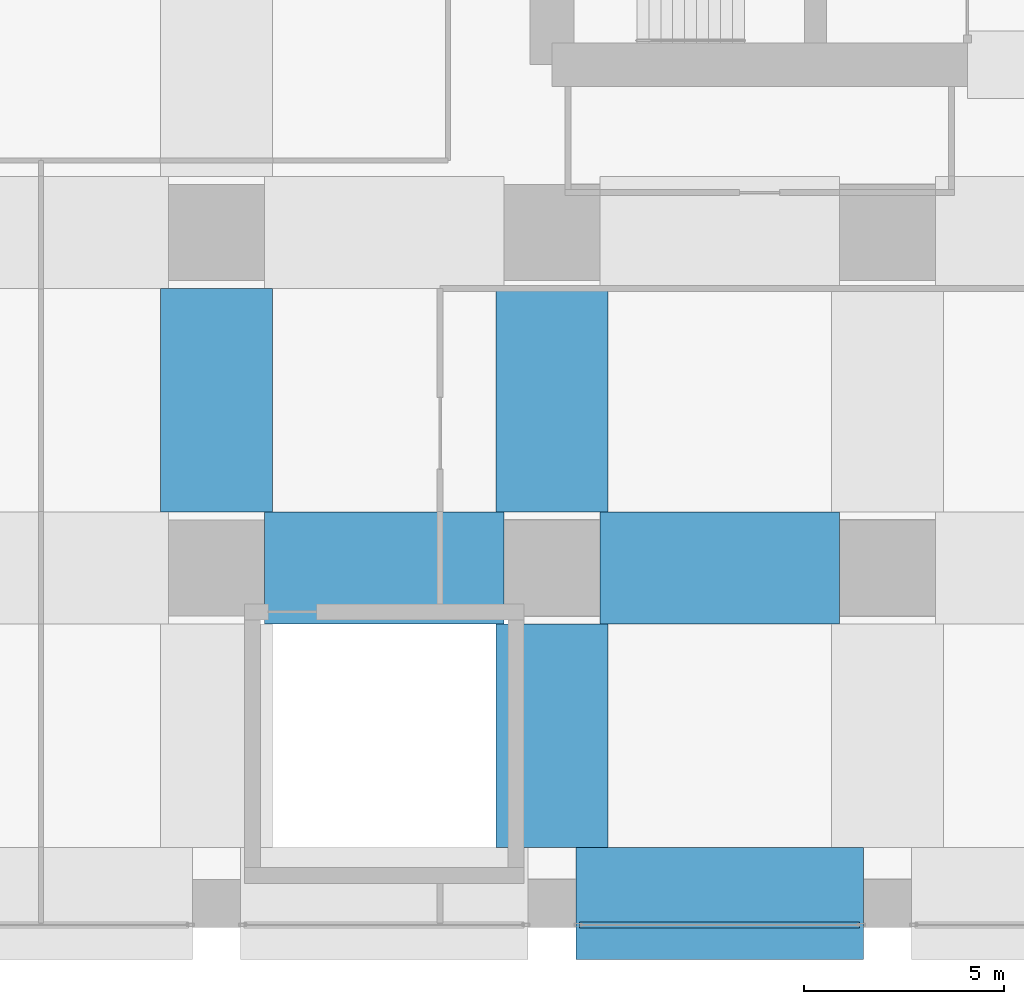
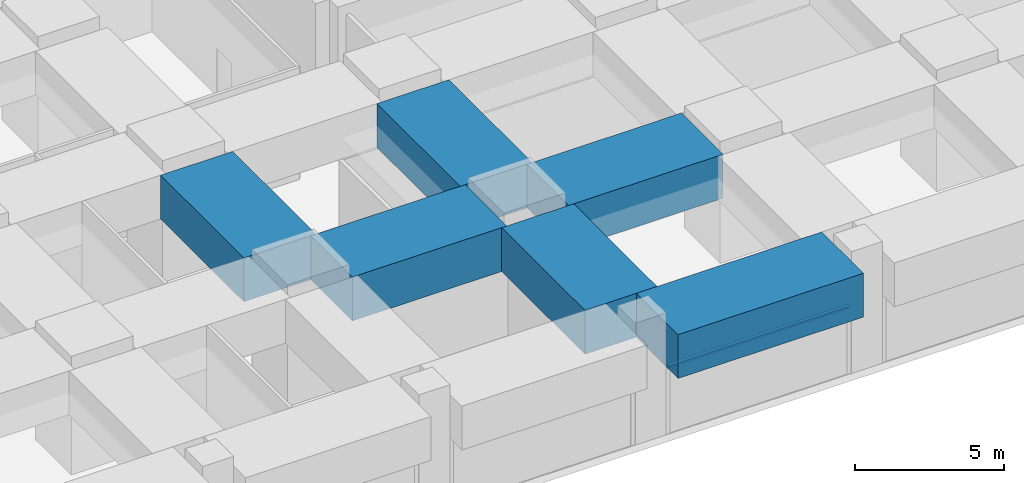
# One storey, part 8 of 52: 6 beams, 1 member, 1 element without a shape of its own.
"""IFC4 building model written with IfcOpenShell, lengths in metres."""

from ifc_helpers import new_model, si_unit, direction, frame, origin, origin_2d, place, context, subcontext, project, spatial, rectangle, hollow_rectangle, extrude, material, material_profile, profile_set, type_object, element, aggregate, save


model = new_model("IFC4")

# Units and contexts
model_context = context("Model", 3, precision=1e-05, world=origin(), true_north=direction((0.0, 1.0)))
body_context = subcontext(model_context, "Body", "Model", "MODEL_VIEW")
ifc_project = project(units=[si_unit("LENGTHUNIT", "METRE"), si_unit("AREAUNIT", "SQUARE_METRE"), si_unit("VOLUMEUNIT", "CUBIC_METRE"), si_unit("PLANEANGLEUNIT", "RADIAN"), si_unit("MASSUNIT", "GRAM", prefix="KILO")], contexts=[model_context])

# Site, building, storey
site_placement = place(None, origin())
site = spatial("IfcSite", under=ifc_project, at=site_placement, CompositionType="ELEMENT")
building_placement = place(site_placement, origin())
building = spatial("IfcBuilding", under=site, at=building_placement, Name="Rekha Terrace Tower", CompositionType="ELEMENT")
storey_placement = place(building_placement, frame((0.0, 0.0, 20.39990234375)))
storey = spatial("IfcBuildingStorey", under=building, at=storey_placement, Name="L04", CompositionType="ELEMENT", Elevation=20.39990234375)

# Curtain wall, member
ifc_material_1 = material(Name="Aluminium framing", Category="aluminium")
curtain_wall_type = type_object("IfcCurtainWallType", Name="CW4 podium shopfront glazing", PredefinedType="USERDEFINED", material=ifc_material_1)
curtain_wall_placement = place(storey_placement, origin())
curtain_wall = element("IfcCurtainWall", 1, at=curtain_wall_placement, inside=storey, type_object=curtain_wall_type, Name="CW4 shopfront curtain wall", ObjectType="SHOPFRONT CURTAIN WALL", PredefinedType="USERDEFINED")
ifc_material_2 = material(Name="Aluminium transom section", Category="aluminium")
ifc_material_profile_1 = material_profile(ifc_material_2, hollow_rectangle(XDim=0.14990234375, YDim=0.074951171875, WallThickness=0.0029296875, at=origin_2d()), Name="AL RHS 150x75")
ifc_profile_set_1 = profile_set([ifc_material_profile_1], Name="Aluminium transom section")
member_type = type_object("IfcMemberType", Name="CW4 transom RHS 75 x 150", PredefinedType="USERDEFINED", material=ifc_profile_set_1)
member_placement = place(storey_placement, frame((25.89501953125, -0.5400390625, 2.7626953125), z_axis=(1.0, 0.0, 0.0), x_axis=(0.0, 1.0, 0.0)))
member = element("IfcMember", 2, at=member_placement, type_object=member_type, Name="CW4 transom 1.2", ObjectType="TRANSOM", PredefinedType="USERDEFINED", context=body_context, shape_type="SweptSolid", body=[
    extrude(hollow_rectangle(XDim=0.14990234375, YDim=0.074951171875, WallThickness=0.0029296875, at=origin_2d()), origin(), (0.0, 0.0, 1.0), 7.010009765625),
])
aggregate(curtain_wall, [member])

# Beams
ifc_material_3 = material(Name="Concrete M70", Category="concrete")
ifc_material_profile_2 = material_profile(ifc_material_3, rectangle(XDim=2.800048828125, YDim=1.800048828125, at=origin_2d()), Name="RC 2800x1800")
ifc_profile_set_2 = profile_set([ifc_material_profile_2], Name="Concrete M70")
beam_type = type_object("IfcBeamType", Name="G2 2800x1800 podium roof band beam", PredefinedType="BEAM", material=ifc_profile_set_2)
beam_1_placement = place(storey_placement, frame((18.0, 8.39990234375, 3.7001953125), z_axis=(1.0, 0.0, 0.0), x_axis=(0.0, 1.0, 0.0)))
element("IfcBeam", 3, at=beam_1_placement, inside=storey, type_object=beam_type, Name="Beam G2 3B-4B under L05", PredefinedType="BEAM", context=body_context, shape_type="SweptSolid", body=[
    extrude(rectangle(XDim=2.800048828125, YDim=1.800048828125, at=origin_2d()), origin(), (0.0, 0.0, 1.0), 6.0),
])
beam_2_placement = place(storey_placement, frame((16.800048828125, 9.800048828125, 3.7001953125), z_axis=(0.0, 1.0, 0.0), x_axis=(-1.0, 0.0, 0.0)))
element("IfcBeam", 4, at=beam_2_placement, inside=storey, type_object=beam_type, Name="Beam G2 3B-3C under L05", PredefinedType="BEAM", context=body_context, shape_type="SweptSolid", body=[
    extrude(rectangle(XDim=2.800048828125, YDim=1.800048828125, at=origin_2d()), origin(), (0.0, 0.0, 1.0), 5.599853515625),
])
beam_3_placement = place(storey_placement, frame((25.800048828125, 0.0, 3.7001953125), z_axis=(1.0, 0.0, 0.0), x_axis=(0.0, 1.0, 0.0)))
element("IfcBeam", 5, at=beam_3_placement, inside=storey, type_object=beam_type, Name="Beam G2 4A-5A under L05", PredefinedType="BEAM", context=body_context, shape_type="SweptSolid", body=[
    extrude(rectangle(XDim=2.800048828125, YDim=1.800048828125, at=origin_2d()), origin(), (0.0, 0.0, 1.0), 7.199951171875),
])
beam_4_placement = place(storey_placement, frame((25.199951171875, 1.39990234375, 3.7001953125), z_axis=(0.0, 1.0, 0.0), x_axis=(-1.0, 0.0, 0.0)))
element("IfcBeam", 6, at=beam_4_placement, inside=storey, type_object=beam_type, Name="Beam G2 4A-4B under L05", PredefinedType="BEAM", context=body_context, shape_type="SweptSolid", body=[
    extrude(rectangle(XDim=2.800048828125, YDim=1.800048828125, at=origin_2d()), origin(), (0.0, 0.0, 1.0), 5.60009765625),
])
beam_5_placement = place(storey_placement, frame((26.39990234375, 8.39990234375, 3.7001953125), z_axis=(1.0, 0.0, 0.0), x_axis=(0.0, 1.0, 0.0)))
element("IfcBeam", 7, at=beam_5_placement, inside=storey, type_object=beam_type, Name="Beam G2 4B-5B under L05", PredefinedType="BEAM", context=body_context, shape_type="SweptSolid", body=[
    extrude(rectangle(XDim=2.800048828125, YDim=1.800048828125, at=origin_2d()), origin(), (0.0, 0.0, 1.0), 6.0),
])
beam_6_placement = place(storey_placement, frame((25.199951171875, 9.800048828125, 3.7001953125), z_axis=(0.0, 1.0, 0.0), x_axis=(-1.0, 0.0, 0.0)))
element("IfcBeam", 8, at=beam_6_placement, inside=storey, type_object=beam_type, Name="Beam G2 4B-4C under L05", PredefinedType="BEAM", context=body_context, shape_type="SweptSolid", body=[
    extrude(rectangle(XDim=2.800048828125, YDim=1.800048828125, at=origin_2d()), origin(), (0.0, 0.0, 1.0), 5.599853515625),
])

save(model, "model.ifc")
